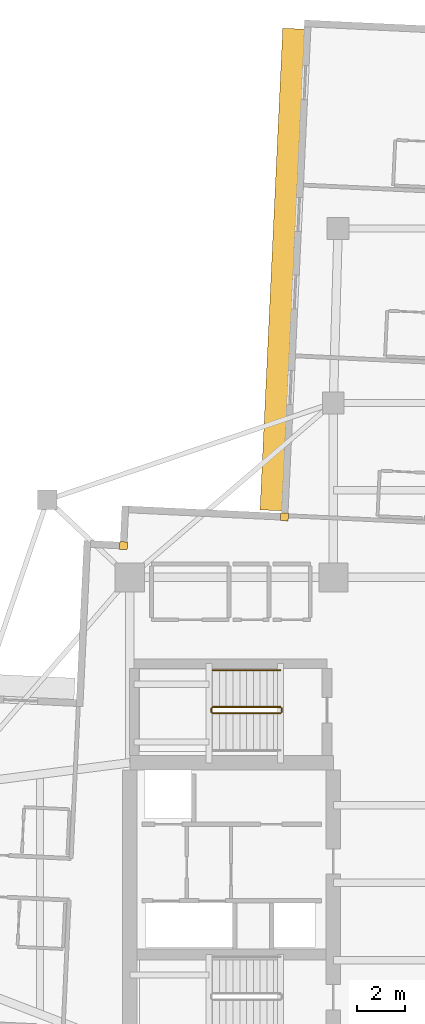
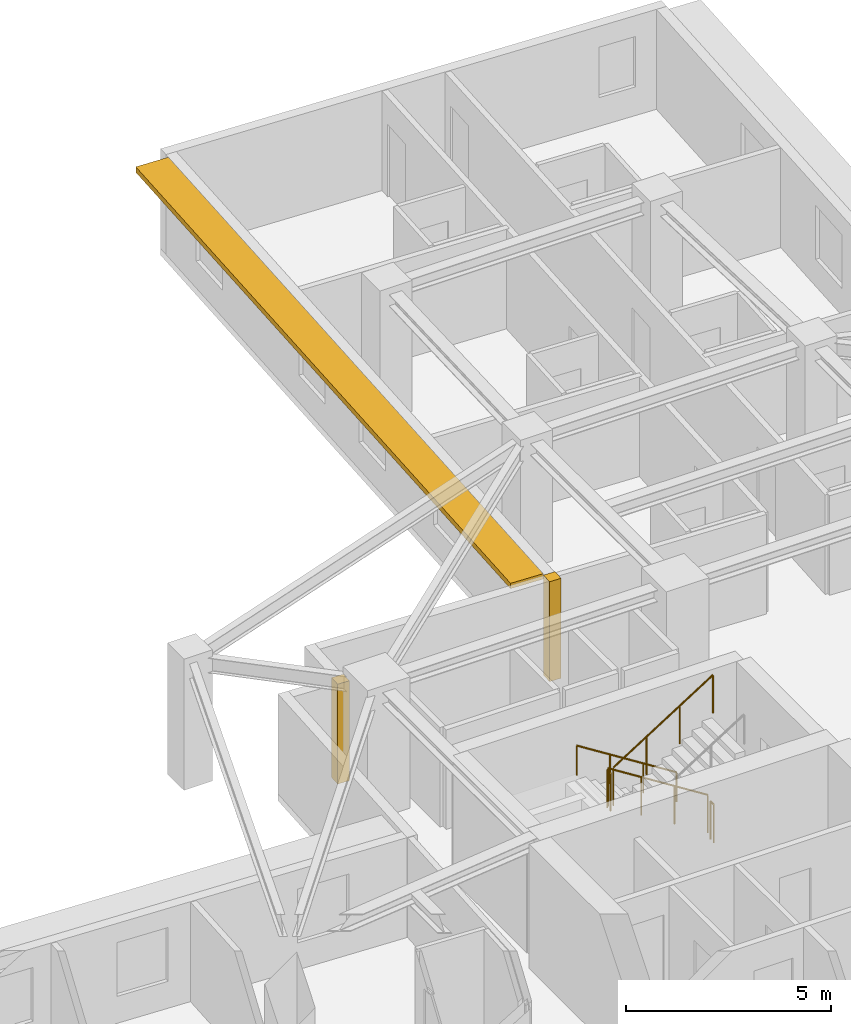
# One storey, part 13 of 14: 5 railings, 2 coverings, 1 shading device.
"""IFC4 building model written with IfcOpenShell, lengths in metres."""

from ifc_helpers import new_model, si_unit, direction, frame, origin, origin_2d, place, context, subcontext, project, spatial, rectangle, circle, extrude, material, layer, layer_set, type_object, element, save


model = new_model("IFC4")

# Units and contexts
model_context = context("Model", 3, precision=1e-05, world=origin(), true_north=direction((0.0, 1.0)))
body_context = subcontext(model_context, "Body", "Model", "MODEL_VIEW")
ifc_project = project(units=[si_unit("LENGTHUNIT", "METRE"), si_unit("AREAUNIT", "SQUARE_METRE"), si_unit("VOLUMEUNIT", "CUBIC_METRE"), si_unit("PLANEANGLEUNIT", "RADIAN"), si_unit("MASSUNIT", "GRAM", prefix="KILO")], contexts=[model_context])

# Site, building, storey
site_placement = place(None, origin())
site = spatial("IfcSite", under=ifc_project, at=site_placement, CompositionType="ELEMENT")
building_placement = place(site_placement, origin())
building = spatial("IfcBuilding", under=site, at=building_placement, Name="Qingluan Cross Belvedere", CompositionType="ELEMENT")
storey_placement = place(building_placement, frame((0.0, 0.0, 156.60009765625)))
storey = spatial("IfcBuildingStorey", under=building, at=storey_placement, Name="L39", CompositionType="ELEMENT", Elevation=156.60009765625)

# Coverings
ifc_material_1 = material(Name="Precast concrete C45", Category="concrete")
ifc_layer_1 = layer(ifc_material_1, 0.1201171875, Name="ConcreteSpandrelCladding_120")
ifc_layer_set_1 = layer_set([ifc_layer_1], Name="Precast concrete C45")
covering_type = type_object("IfcCoveringType", Name="ConcreteSpandrelCladding_120", PredefinedType="CLADDING", material=ifc_layer_set_1)
for number, where, z_axis, x_axis, name in (
    (1, (-12.65869140625, 13.911865234375, 0.0), (0.0, 0.0, 1.0), (0.998889874962, -0.04710645071, 0.0), "Corner closure L39-NW1"),
    (2, (-6.015380859375, 15.10009765625, 0.0), (0.0, 0.0, 1.0), (0.998889874962, -0.04710645071, 0.0), "Corner closure L39-NW2"),
):
    element("IfcCovering", number, at=place(storey_placement, frame(where, z_axis=z_axis, x_axis=x_axis)), inside=storey, type_object=covering_type, Name=name, PredefinedType="CLADDING", context=body_context, shape_type="SweptSolid", body=[
        extrude(rectangle(XDim=0.320068359375, YDim=0.320068359375, at=origin_2d()), origin(), (0.0, 0.0, 1.0), 2.969970703125),
    ])

# Shading device
ifc_material_2 = material(Name="Precast concrete C45", Category="concrete")
ifc_layer_2 = layer(ifc_material_2, 0.159912109375, Name="ConcreteSunshadeBand_900")
ifc_layer_set_2 = layer_set([ifc_layer_2], Name="Precast concrete C45")
shading_device_type = type_object("IfcShadingDeviceType", Name="ConcreteSunshadeBand_900", PredefinedType="USERDEFINED", material=ifc_layer_set_2)
shading_device_placement = place(storey_placement, frame((-6.104736328125, 25.3056640625, 2.7900390625), z_axis=(0.0, 0.0, 1.0), x_axis=(-0.04710941444, -0.998889735192, 0.0)))
element("IfcShadingDevice", 3, at=shading_device_placement, inside=storey, type_object=shading_device_type, Name="Concrete SUNSHADE L39-NB", ObjectType="SUNSHADE", PredefinedType="USERDEFINED", context=body_context, shape_type="SweptSolid", body=[
    extrude(rectangle(XDim=19.89990234375, YDim=0.89990234375, at=origin_2d()), origin(), (0.0, 0.0, 1.0), 0.159912109375),
])

# Railings
ifc_material_3 = material(Name="Brushed stainless steel tubular handrail", Category="steel")
railing_type_1 = type_object("IfcRailingType", Name="StairPitchHandrail_900", PredefinedType="HANDRAIL", material=ifc_material_3)
railing_1_placement = place(storey_placement, frame((-6.179931640625, 8.77001953125, 0.17724609375)))
element("IfcRailing", 4, at=railing_1_placement, inside=storey, type_object=railing_type_1, Name="L39 ST3 stair handrail 1", PredefinedType="HANDRAIL", context=body_context, shape_type="SweptSolid", body=[
    extrude(circle(Radius=0.02392578125, at=origin_2d()), frame((0.0, 0.0, 0.8759765625), z_axis=(-0.844908973607, 0.0, 0.534910110503), x_axis=(0.0, -1.0, 0.0)), (0.0, 0.0, 1.0), 3.31396484375),
    extrude(circle(Radius=0.02099609375, at=origin_2d()), origin(), (0.0, 0.0, 1.0), 0.851806640625),
    extrude(circle(Radius=0.02099609375, at=origin_2d()), frame((-0.933349609375, 0.0, 0.5908203125)), (0.0, 0.0, 1.0), 0.851806640625),
    extrude(circle(Radius=0.02099609375, at=origin_2d()), frame((-1.86669921875, 0.0, 1.181884765625)), (0.0, 0.0, 1.0), 0.851806640625),
    extrude(circle(Radius=0.02099609375, at=origin_2d()), frame((-2.800048828125, 0.0, 1.772705078125)), (0.0, 0.0, 1.0), 0.851806640625),
])
ifc_material_4 = material(Name="Painted steel stair well guard", Category="steel")
railing_type_2 = type_object("IfcRailingType", Name="StairWellGuard_1150", PredefinedType="BALUSTRADE", material=ifc_material_4)
railing_2_placement = place(storey_placement, frame((-6.179931640625, 7.25, 0.17724609375)))
element("IfcRailing", 5, at=railing_2_placement, inside=storey, type_object=railing_type_2, Name="L39 ST3 stair guard 1", PredefinedType="BALUSTRADE", context=body_context, shape_type="SweptSolid", body=[
    extrude(circle(Radius=0.02392578125, at=origin_2d()), frame((0.0, 0.0, 1.1259765625), z_axis=(-0.844908973607, 0.0, 0.534910110503), x_axis=(0.0, -1.0, 0.0)), (0.0, 0.0, 1.0), 3.31396484375),
    extrude(circle(Radius=0.02099609375, at=origin_2d()), origin(), (0.0, 0.0, 1.0), 1.101806640625),
    extrude(circle(Radius=0.02099609375, at=origin_2d()), frame((-0.933349609375, 0.0, 0.5908203125)), (0.0, 0.0, 1.0), 1.101806640625),
    extrude(circle(Radius=0.02099609375, at=origin_2d()), frame((-1.86669921875, 0.0, 1.181884765625)), (0.0, 0.0, 1.0), 1.101806640625),
    extrude(circle(Radius=0.02099609375, at=origin_2d()), frame((-2.800048828125, 0.0, 1.772705078125)), (0.0, 0.0, 1.0), 1.101806640625),
])
railing_3_placement = place(storey_placement, frame((-9.030029296875, 7.199951171875, 1.949951171875)))
element("IfcRailing", 6, at=railing_3_placement, inside=storey, type_object=railing_type_2, Name="L39 ST3 stair guard 2", PredefinedType="BALUSTRADE", context=body_context, shape_type="SweptSolid", body=[
    extrude(circle(Radius=0.02392578125, at=origin_2d()), frame((0.0, 0.0, 1.1259765625), z_axis=(0.0, -1.0, 0.0), x_axis=(1.0, 0.0, 0.0)), (0.0, 0.0, 1.0), 0.159912109375),
    extrude(circle(Radius=0.02099609375, at=origin_2d()), origin(), (0.0, 0.0, 1.0), 1.101806640625),
    extrude(circle(Radius=0.02099609375, at=origin_2d()), frame((0.0, -0.159912109375, 0.0)), (0.0, 0.0, 1.0), 1.101806640625),
])
railing_4_placement = place(storey_placement, frame((-8.97998046875, 6.989990234375, 2.127197265625)))
element("IfcRailing", 7, at=railing_4_placement, inside=storey, type_object=railing_type_2, Name="L39 ST3 stair guard 3", PredefinedType="BALUSTRADE", context=body_context, shape_type="SweptSolid", body=[
    extrude(circle(Radius=0.02392578125, at=origin_2d()), frame((0.0, 0.0, 1.1259765625), z_axis=(0.844908973607, 0.0, 0.534910110503), x_axis=(0.0, 1.0, 0.0)), (0.0, 0.0, 1.0), 3.31396484375),
    extrude(circle(Radius=0.02099609375, at=origin_2d()), origin(), (0.0, 0.0, 1.0), 1.101806640625),
    extrude(circle(Radius=0.02099609375, at=origin_2d()), frame((0.933349609375, 0.0, 0.5908203125)), (0.0, 0.0, 1.0), 1.101806640625),
    extrude(circle(Radius=0.02099609375, at=origin_2d()), frame((1.86669921875, 0.0, 1.181884765625)), (0.0, 0.0, 1.0), 1.101806640625),
    extrude(circle(Radius=0.02099609375, at=origin_2d()), frame((2.800048828125, 0.0, 1.772705078125)), (0.0, 0.0, 1.0), 1.101806640625),
])
railing_5_placement = place(storey_placement, frame((-6.1298828125, 7.199951171875, 0.0)))
element("IfcRailing", 8, at=railing_5_placement, inside=storey, type_object=railing_type_2, Name="L39 ST3 stair guard 4", PredefinedType="BALUSTRADE", context=body_context, shape_type="SweptSolid", body=[
    extrude(circle(Radius=0.02392578125, at=origin_2d()), frame((0.0, 0.0, 1.1259765625), z_axis=(0.0, -1.0, 0.0), x_axis=(1.0, 0.0, 0.0)), (0.0, 0.0, 1.0), 0.159912109375),
    extrude(circle(Radius=0.02099609375, at=origin_2d()), origin(), (0.0, 0.0, 1.0), 1.101806640625),
    extrude(circle(Radius=0.02099609375, at=origin_2d()), frame((0.0, -0.159912109375, 0.0)), (0.0, 0.0, 1.0), 1.101806640625),
])

save(model, "model.ifc")
